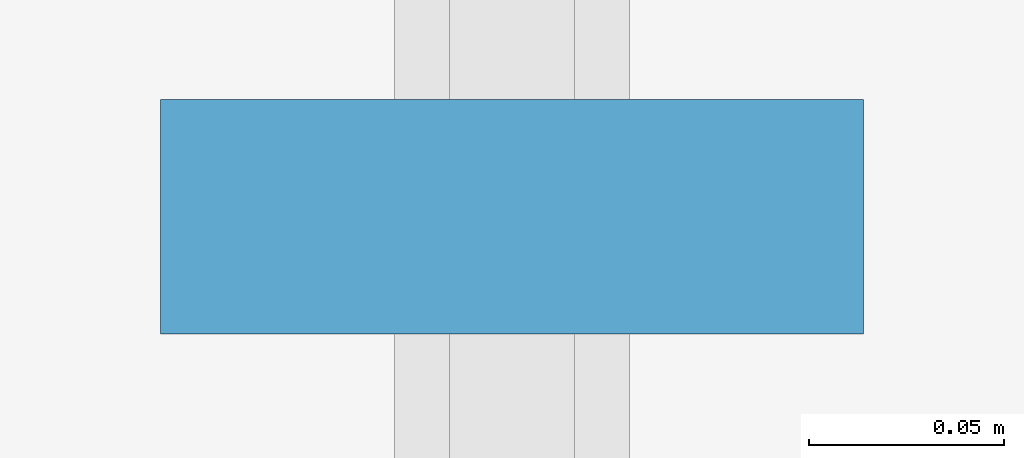
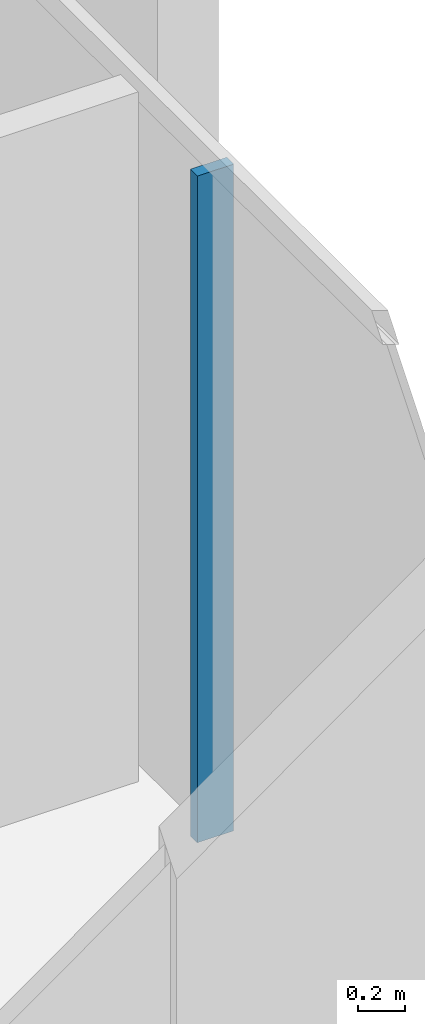
# One storey, part 5 of 22: 1 member, 1 element without a shape of its own.
"""IFC4 building model written with IfcOpenShell, lengths in metres."""

from ifc_helpers import new_model, si_unit, direction, frame, origin, origin_2d, place, context, subcontext, project, spatial, rectangle, extrude, material, layer, layer_set, material_profile, profile_set, type_object, element, aggregate, save


model = new_model("IFC4")

# Units and contexts
model_context = context("Model", 3, precision=1e-05, world=origin(), true_north=direction((0.0, 1.0)))
body_context = subcontext(model_context, "Body", "Model", "MODEL_VIEW")
ifc_project = project(units=[si_unit("LENGTHUNIT", "METRE"), si_unit("AREAUNIT", "SQUARE_METRE"), si_unit("VOLUMEUNIT", "CUBIC_METRE"), si_unit("PLANEANGLEUNIT", "RADIAN"), si_unit("MASSUNIT", "GRAM", prefix="KILO")], contexts=[model_context])

# Site, building, storey
site_placement = place(None, origin())
site = spatial("IfcSite", under=ifc_project, at=site_placement, CompositionType="ELEMENT")
building_placement = place(site_placement, origin())
building = spatial("IfcBuilding", under=site, at=building_placement, Name="Kawkab Arch Medical Tower", CompositionType="ELEMENT")
storey_placement = place(building_placement, frame((0.0, 0.0, 294.39990234375)))
storey = spatial("IfcBuildingStorey", under=building, at=storey_placement, Name="L68", CompositionType="ELEMENT", Elevation=294.39990234375)

# Curtain wall, member
ifc_material_1 = material(Name="Bronze anodised aluminium curtain wall frame", Category="aluminium")
ifc_layer = layer(ifc_material_1, 0.159912109375)
ifc_layer_set = layer_set([ifc_layer], Name="Bronze anodised aluminium curtain wall frame")
curtain_wall_type = type_object("IfcCurtainWallType", Name="CW1 ward curtain wall", PredefinedType="NOTDEFINED", material=ifc_layer_set)
curtain_wall_placement = place(storey_placement, origin())
curtain_wall = element("IfcCurtainWall", 1, at=curtain_wall_placement, inside=storey, type_object=curtain_wall_type, Name="CW1 Ward curtain wall R13", PredefinedType="NOTDEFINED")
ifc_material_2 = material(Name="Bronze anodised aluminium curtain wall frame", Category="aluminium")
ifc_material_profile = material_profile(ifc_material_2, rectangle(XDim=0.179931640625, YDim=0.06005859375, at=origin_2d()), Name="AL 60x180")
ifc_profile_set = profile_set([ifc_material_profile], Name="Bronze anodised aluminium curtain wall frame")
member_type = type_object("IfcMemberType", Name="CW1 mullion 60 x 180", PredefinedType="MULLION", material=ifc_profile_set)
member_placement = place(storey_placement, frame((58.800048828125, -14.666748046875, 0.0), z_axis=(0.0, 0.0, 1.0), x_axis=(-1.0, 0.0, 0.0)))
member = element("IfcMember", 2, at=member_placement, type_object=member_type, Name="CW1 mullion 1.1", PredefinedType="MULLION", context=body_context, shape_type="SweptSolid", body=[
    extrude(rectangle(XDim=0.179931640625, YDim=0.06005859375, at=origin_2d()), origin(), (0.0, 0.0, 1.0), 3.47998046875),
])
aggregate(curtain_wall, [member])

save(model, "model.ifc")
